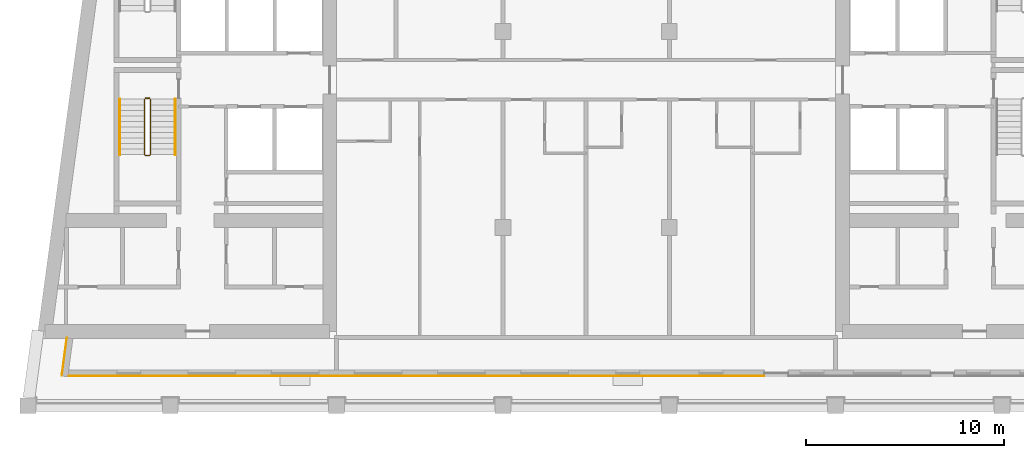
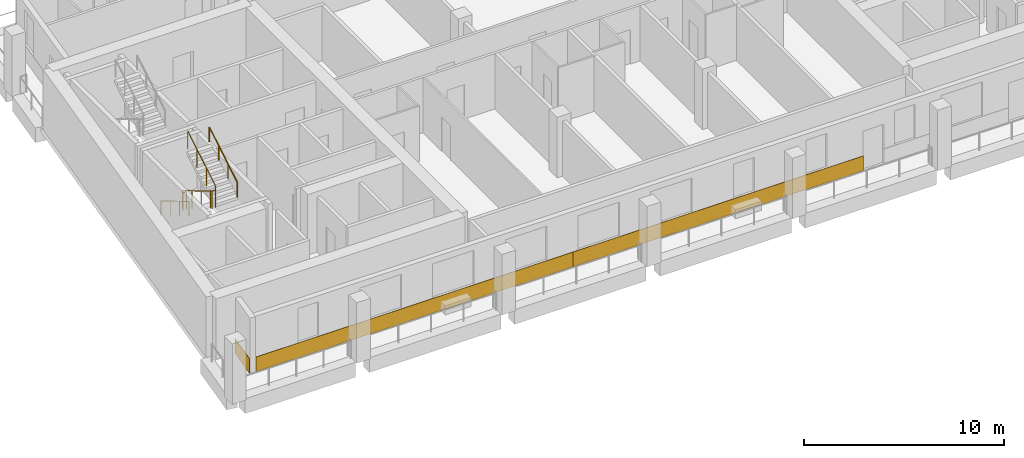
# One storey, part 8 of 13: 4 railings, 3 coverings.
"""IFC4 building model written with IfcOpenShell, lengths in metres."""

from ifc_helpers import new_model, si_unit, direction, frame, origin, origin_2d, place, context, subcontext, project, spatial, rectangle, circle, extrude, material, layer, layer_set, type_object, element, save


model = new_model("IFC4")

# Units and contexts
model_context = context("Model", 3, precision=1e-05, world=origin(), true_north=direction((0.0, 1.0)))
body_context = subcontext(model_context, "Body", "Model", "MODEL_VIEW")
ifc_project = project(units=[si_unit("LENGTHUNIT", "METRE"), si_unit("AREAUNIT", "SQUARE_METRE"), si_unit("VOLUMEUNIT", "CUBIC_METRE"), si_unit("PLANEANGLEUNIT", "RADIAN"), si_unit("MASSUNIT", "GRAM", prefix="KILO")], contexts=[model_context])

# Site, building, storey
site_placement = place(None, origin())
site = spatial("IfcSite", under=ifc_project, at=site_placement, CompositionType="ELEMENT")
building_placement = place(site_placement, origin())
building = spatial("IfcBuilding", under=site, at=building_placement, Name="Candeia Pilgrim Tower and Theatre", CompositionType="ELEMENT")
storey_placement = place(building_placement, frame((0.0, 0.0, 270.10009765625)))
storey = spatial("IfcBuildingStorey", under=building, at=storey_placement, Name="L65", CompositionType="ELEMENT", Elevation=270.10009765625)

# Coverings
ifc_material_1 = material(Name="Glazed ceramic tile bottle green")
ifc_layer_1 = layer(ifc_material_1, 0.02001953125)
ifc_layer_set_1 = layer_set([ifc_layer_1], Name="Glazed ceramic tile bottle green")
covering_type_1 = type_object("IfcCoveringType", Name="Glazed ceramic tile bottle green", PredefinedType="CLADDING", material=ifc_layer_set_1)
covering_1_placement = place(storey_placement, frame((87.04638671875, 109.46142578125, 0.0), z_axis=(0.0, 0.0, 1.0), x_axis=(-0.133412012145, -0.991060661622, 0.0)))
element("IfcCovering", 1, at=covering_1_placement, inside=storey, type_object=covering_type_1, Name="Tile cladding bottle green L65", PredefinedType="CLADDING", context=body_context, shape_type="SweptSolid", body=[
    extrude(rectangle(XDim=1.937255859375, YDim=0.02001953125, at=origin_2d()), origin(), (0.0, 0.0, 1.0), 0.89990234375),
])
covering_2_placement = place(storey_placement, frame((96.434326171875, 108.489990234375, 0.0), z_axis=(0.0, 0.0, 1.0), x_axis=(1.0, 0.0, 0.0)))
element("IfcCovering", 2, at=covering_2_placement, inside=storey, type_object=covering_type_1, Name="Tile cladding bottle green L65", PredefinedType="CLADDING", context=body_context, shape_type="SweptSolid", body=[
    extrude(rectangle(XDim=18.33154296875, YDim=0.02001953125, at=origin_2d()), origin(), (0.0, 0.0, 1.0), 0.89990234375),
])
ifc_material_2 = material(Name="Glazed ceramic tile rust")
ifc_layer_2 = layer(ifc_material_2, 0.02001953125)
ifc_layer_set_2 = layer_set([ifc_layer_2], Name="Glazed ceramic tile rust")
covering_type_2 = type_object("IfcCoveringType", Name="Glazed ceramic tile rust", PredefinedType="CLADDING", material=ifc_layer_set_2)
covering_3_placement = place(storey_placement, frame((114.0, 108.489990234375, 0.0), z_axis=(0.0, 0.0, 1.0), x_axis=(1.0, 0.0, 0.0)))
element("IfcCovering", 3, at=covering_3_placement, inside=storey, type_object=covering_type_2, Name="Tile cladding rust L65", PredefinedType="CLADDING", context=body_context, shape_type="SweptSolid", body=[
    extrude(rectangle(XDim=16.800048828125, YDim=0.02001953125, at=origin_2d()), origin(), (0.0, 0.0, 1.0), 0.89990234375),
])

# Railings
ifc_material_3 = material(Name="Stainless steel balustrade", Category="steel")
railing_type_1 = type_object("IfcRailingType", Name="RL-GUARD-1100", PredefinedType="GUARDRAIL", material=ifc_material_3)
railing_1_placement = place(storey_placement, frame((91.10205078125, 122.47509765625, 0.16796875)))
element("IfcRailing", 4, at=railing_1_placement, inside=storey, type_object=railing_type_1, Name="L65 ST1 stair guard 1", PredefinedType="GUARDRAIL", context=body_context, shape_type="SweptSolid", body=[
    extrude(circle(Radius=0.02392578125, at=origin_2d()), frame((0.0, 0.0, 1.076171875), z_axis=(0.0, -0.857242210791, 0.514913383045), x_axis=(1.0, 0.0, 0.0)), (0.0, 0.0, 1.0), 3.266357421875),
    extrude(circle(Radius=0.02392578125, at=origin_2d()), frame((0.0, -2.800048828125, 2.7578125), z_axis=(0.707106781187, -0.707106781187, 0.0), x_axis=(0.707106781187, 0.707106781187, 0.0)), (0.0, 0.0, 1.0), 0.07080078125),
    extrude(circle(Radius=0.02392578125, at=origin_2d()), frame((0.050048828125, -2.85009765625, 2.7578125), z_axis=(1.0, 0.0, 0.0), x_axis=(0.0, 1.0, 0.0)), (0.0, 0.0, 1.0), 0.199951171875),
    extrude(circle(Radius=0.02392578125, at=origin_2d()), frame((0.25, -2.85009765625, 2.7578125), z_axis=(0.274243871929, 0.274243871929, 0.92172696468), x_axis=(-0.707106781187, 0.707106781187, 0.0)), (0.0, 0.0, 1.0), 0.1826171875),
    extrude(circle(Radius=0.02392578125, at=origin_2d()), frame((0.300048828125, -2.800048828125, 2.92626953125), z_axis=(0.0, 0.857242210791, 0.514913383045), x_axis=(-1.0, 0.0, 0.0)), (0.0, 0.0, 1.0), 3.266357421875),
    extrude(circle(Radius=0.02099609375, at=origin_2d()), origin(), (0.0, 0.0, 1.0), 1.052001953125),
    extrude(circle(Radius=0.02099609375, at=origin_2d()), frame((0.0, -0.933349609375, 0.560546875)), (0.0, 0.0, 1.0), 1.052001953125),
    extrude(circle(Radius=0.02099609375, at=origin_2d()), frame((0.0, -1.86669921875, 1.121337890625)), (0.0, 0.0, 1.0), 1.052001953125),
    extrude(circle(Radius=0.02099609375, at=origin_2d()), frame((0.0, -2.800048828125, 1.681884765625)), (0.0, 0.0, 1.0), 1.052001953125),
    extrude(circle(Radius=0.02099609375, at=origin_2d()), frame((0.050048828125, -2.85009765625, 1.681884765625)), (0.0, 0.0, 1.0), 1.052001953125),
    extrude(circle(Radius=0.02099609375, at=origin_2d()), frame((0.25, -2.85009765625, 1.681884765625)), (0.0, 0.0, 1.0), 1.052001953125),
    extrude(circle(Radius=0.02099609375, at=origin_2d()), frame((0.300048828125, -2.800048828125, 1.85009765625)), (0.0, 0.0, 1.0), 1.052001953125),
    extrude(circle(Radius=0.02099609375, at=origin_2d()), frame((0.300048828125, -1.86669921875, 2.41064453125)), (0.0, 0.0, 1.0), 1.052001953125),
    extrude(circle(Radius=0.02099609375, at=origin_2d()), frame((0.300048828125, -0.933349609375, 2.971435546875)), (0.0, 0.0, 1.0), 1.052001953125),
    extrude(circle(Radius=0.02099609375, at=origin_2d()), frame((0.300048828125, 0.0, 3.531982421875)), (0.0, 0.0, 1.0), 1.052001953125),
])
railing_2_placement = place(storey_placement, frame((91.152099609375, 122.52490234375, 0.0)))
element("IfcRailing", 5, at=railing_2_placement, inside=storey, type_object=railing_type_1, Name="L65 ST1 stair guard 2", PredefinedType="GUARDRAIL", context=body_context, shape_type="SweptSolid", body=[
    extrude(circle(Radius=0.02392578125, at=origin_2d()), frame((0.0, 0.0, 1.076171875), z_axis=(1.0, 0.0, 0.0), x_axis=(0.0, 1.0, 0.0)), (0.0, 0.0, 1.0), 0.199951171875),
    extrude(circle(Radius=0.02099609375, at=origin_2d()), origin(), (0.0, 0.0, 1.0), 1.052001953125),
    extrude(circle(Radius=0.02099609375, at=origin_2d()), frame((0.199951171875, 0.0, 0.0)), (0.0, 0.0, 1.0), 1.052001953125),
])
ifc_material_4 = material(Name="Stainless steel handrail", Category="steel")
railing_type_2 = type_object("IfcRailingType", Name="RL-HANDRAIL-900", PredefinedType="HANDRAIL", material=ifc_material_4)
railing_3_placement = place(storey_placement, frame((89.85205078125, 122.47509765625, 0.16796875)))
element("IfcRailing", 6, at=railing_3_placement, inside=storey, type_object=railing_type_2, Name="L65 ST1 stair handrail 1", PredefinedType="HANDRAIL", context=body_context, shape_type="SweptSolid", body=[
    extrude(circle(Radius=0.02392578125, at=origin_2d()), frame((0.0, 0.0, 0.8759765625), z_axis=(0.0, -0.857242210791, 0.514913383045), x_axis=(1.0, 0.0, 0.0)), (0.0, 0.0, 1.0), 3.266357421875),
    extrude(circle(Radius=0.02099609375, at=origin_2d()), origin(), (0.0, 0.0, 1.0), 0.851806640625),
    extrude(circle(Radius=0.02099609375, at=origin_2d()), frame((0.0, -0.933349609375, 0.560546875)), (0.0, 0.0, 1.0), 0.851806640625),
    extrude(circle(Radius=0.02099609375, at=origin_2d()), frame((0.0, -1.86669921875, 1.121337890625)), (0.0, 0.0, 1.0), 0.851806640625),
    extrude(circle(Radius=0.02099609375, at=origin_2d()), frame((0.0, -2.800048828125, 1.681884765625)), (0.0, 0.0, 1.0), 0.851806640625),
])
railing_4_placement = place(storey_placement, frame((92.652099609375, 119.675048828125, 2.01806640625)))
element("IfcRailing", 7, at=railing_4_placement, inside=storey, type_object=railing_type_2, Name="L65 ST1 stair handrail 2", PredefinedType="HANDRAIL", context=body_context, shape_type="SweptSolid", body=[
    extrude(circle(Radius=0.02392578125, at=origin_2d()), frame((0.0, 0.0, 0.8759765625), z_axis=(0.0, 0.857242210791, 0.514913383045), x_axis=(-1.0, 0.0, 0.0)), (0.0, 0.0, 1.0), 3.266357421875),
    extrude(circle(Radius=0.02099609375, at=origin_2d()), origin(), (0.0, 0.0, 1.0), 0.851806640625),
    extrude(circle(Radius=0.02099609375, at=origin_2d()), frame((0.0, 0.933349609375, 0.560546875)), (0.0, 0.0, 1.0), 0.851806640625),
    extrude(circle(Radius=0.02099609375, at=origin_2d()), frame((0.0, 1.86669921875, 1.121337890625)), (0.0, 0.0, 1.0), 0.851806640625),
    extrude(circle(Radius=0.02099609375, at=origin_2d()), frame((0.0, 2.800048828125, 1.681884765625)), (0.0, 0.0, 1.0), 0.851806640625),
])

save(model, "model.ifc")
